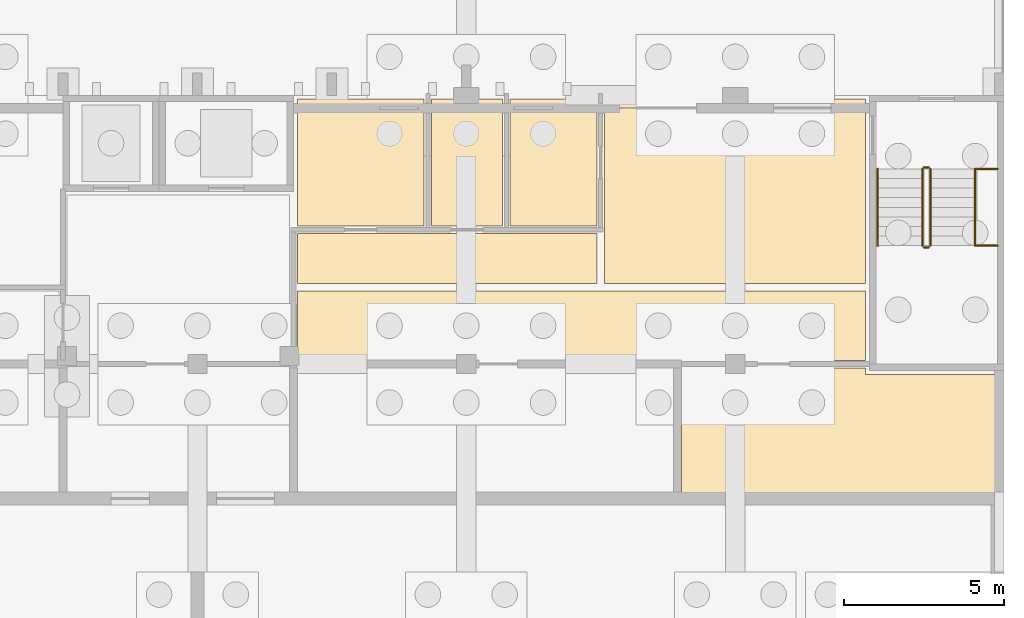
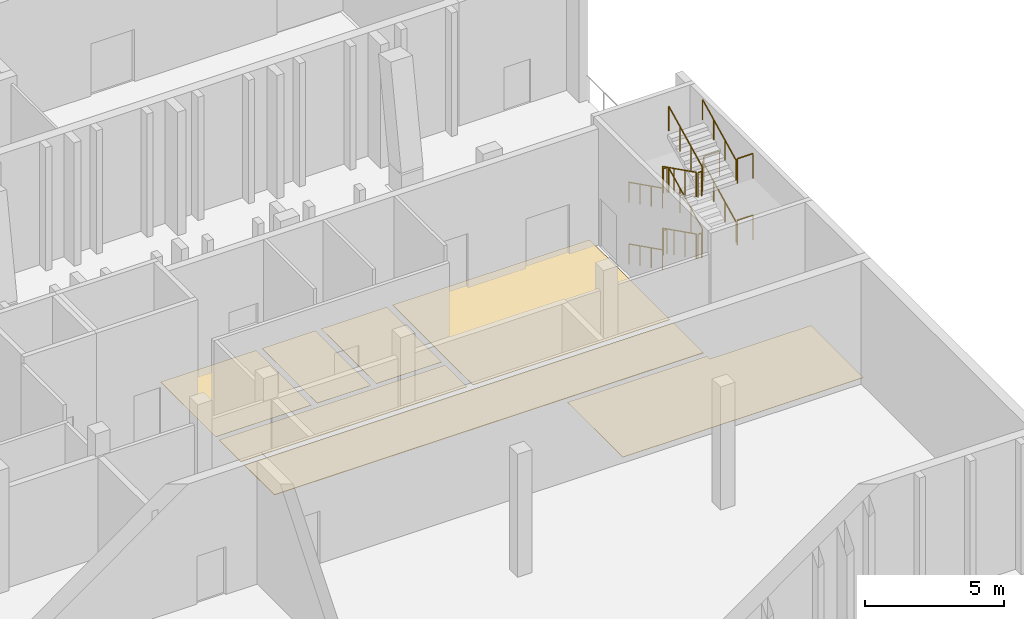
# One storey, part 124 of 129: 15 railings, 7 coverings.
"""IFC4 building model written with IfcOpenShell, lengths in metres."""

from ifc_helpers import new_model, si_unit, direction, frame, origin, origin_2d, place, context, subcontext, project, spatial, polyline, circle, outline, extrude, material, layer, layer_set, type_object, element, save


model = new_model("IFC4")

# Units and contexts
model_context = context("Model", 3, precision=1e-05, world=origin(), true_north=direction((0.0, 1.0)))
body_context = subcontext(model_context, "Body", "Model", "MODEL_VIEW")
ifc_project = project(units=[si_unit("LENGTHUNIT", "METRE"), si_unit("AREAUNIT", "SQUARE_METRE"), si_unit("VOLUMEUNIT", "CUBIC_METRE"), si_unit("PLANEANGLEUNIT", "RADIAN"), si_unit("MASSUNIT", "GRAM", prefix="KILO")], contexts=[model_context])

# Site, building, storey
site_placement = place(None, origin())
site = spatial("IfcSite", under=ifc_project, at=site_placement, CompositionType="ELEMENT")
building_placement = place(site_placement, origin())
building = spatial("IfcBuilding", under=site, at=building_placement, Name="Kiln Court Media Centre", CompositionType="ELEMENT")
storey_placement = place(building_placement, origin())
storey = spatial("IfcBuildingStorey", under=building, at=storey_placement, Name="L00", CompositionType="ELEMENT", Elevation=0.0)

# Coverings
ifc_material_1 = material(Name="Carpet tile")
ifc_layer_1 = layer(ifc_material_1, 0.014892578125)
ifc_layer_set_1 = layer_set([ifc_layer_1], Name="Carpet tile floor finish 15")
covering_type_1 = type_object("IfcCoveringType", Name="Carpet tile floor finish 15", PredefinedType="FLOORING", material=ifc_layer_set_1)
covering_1_placement = place(storey_placement, origin())
element("IfcCovering", 1, at=covering_1_placement, inside=storey, type_object=covering_type_1, Name="Sound Lobby floor finish", PredefinedType="FLOORING", context=body_context, shape_type="SweptSolid", body=[
    extrude(outline(polyline([(167.8798828125, 12.719970703125), (167.8798828125, 16.47998046875), (163.679931640625, 16.47998046875), (163.679931640625, 16.679931640625), (157.919921875, 16.679931640625), (157.919921875, 12.719970703125), (167.8798828125, 12.719970703125)])), origin(), (0.0, 0.0, 1.0), 0.014892578125),
])
ifc_material_2 = material(Name="Ceramic tile")
ifc_layer_2 = layer(ifc_material_2, 0.011962890625)
ifc_layer_set_2 = layer_set([ifc_layer_2], Name="Ceramic tile floor finish 12")
covering_type_2 = type_object("IfcCoveringType", Name="Ceramic tile floor finish 12", PredefinedType="FLOORING", material=ifc_layer_set_2)
covering_2_placement = place(storey_placement, origin())
element("IfcCovering", 2, at=covering_2_placement, inside=storey, type_object=covering_type_2, Name="Women's WC floor finish", PredefinedType="FLOORING", context=body_context, shape_type="SweptSolid", body=[
    extrude(outline(polyline([(149.8798828125, 21.1201171875), (149.8798828125, 25.080078125), (145.919921875, 25.080078125), (145.919921875, 21.1201171875), (149.8798828125, 21.1201171875)])), origin(), (0.0, 0.0, 1.0), 0.011962890625),
])
covering_3_placement = place(storey_placement, origin())
element("IfcCovering", 3, at=covering_3_placement, inside=storey, type_object=covering_type_2, Name="Men's WC floor finish", PredefinedType="FLOORING", context=body_context, shape_type="SweptSolid", body=[
    extrude(outline(polyline([(152.330078125, 21.1201171875), (152.330078125, 25.080078125), (150.1201171875, 25.080078125), (150.1201171875, 21.1201171875), (152.330078125, 21.1201171875)])), origin(), (0.0, 0.0, 1.0), 0.011962890625),
])
covering_4_placement = place(storey_placement, origin())
element("IfcCovering", 4, at=covering_4_placement, inside=storey, type_object=covering_type_2, Name="Accessible WC floor finish", PredefinedType="FLOORING", context=body_context, shape_type="SweptSolid", body=[
    extrude(outline(polyline([(155.280029296875, 21.1201171875), (155.280029296875, 25.080078125), (152.570068359375, 25.080078125), (152.570068359375, 21.1201171875), (155.280029296875, 21.1201171875)])), origin(), (0.0, 0.0, 1.0), 0.011962890625),
])
ifc_material_3 = material(Name="Engineered timber", Category="wood")
ifc_layer_3 = layer(ifc_material_3, 0.02001953125)
ifc_layer_set_3 = layer_set([ifc_layer_3], Name="Engineered timber floor finish 20")
covering_type_3 = type_object("IfcCoveringType", Name="Engineered timber floor finish 20", PredefinedType="FLOORING", material=ifc_layer_set_3)
covering_5_placement = place(storey_placement, origin())
element("IfcCovering", 5, at=covering_5_placement, inside=storey, type_object=covering_type_3, Name="Artists' Lounge floor finish", PredefinedType="FLOORING", context=body_context, shape_type="SweptSolid", body=[
    extrude(outline(polyline([(155.52001953125, 19.320068359375), (163.679931640625, 19.320068359375), (163.679931640625, 25.080078125), (155.52001953125, 25.080078125), (155.52001953125, 19.320068359375)])), origin(), (0.0, 0.0, 1.0), 0.02001953125),
])
ifc_material_4 = material(Name="Terrazzo")
ifc_layer_4 = layer(ifc_material_4, 0.02490234375)
ifc_layer_set_4 = layer_set([ifc_layer_4], Name="Polished terrazzo floor finish 25")
covering_type_4 = type_object("IfcCoveringType", Name="Polished terrazzo floor finish 25", PredefinedType="FLOORING", material=ifc_layer_set_4)
covering_6_placement = place(storey_placement, origin())
element("IfcCovering", 6, at=covering_6_placement, inside=storey, type_object=covering_type_4, Name="Studio Corridor floor finish", PredefinedType="FLOORING", context=body_context, shape_type="SweptSolid", body=[
    extrude(outline(polyline([(145.919921875, 16.919921875), (163.679931640625, 16.919921875), (163.679931640625, 19.080078125), (145.919921875, 19.080078125), (145.919921875, 16.919921875)])), origin(), (0.0, 0.0, 1.0), 0.02490234375),
])
covering_7_placement = place(storey_placement, origin())
element("IfcCovering", 7, at=covering_7_placement, inside=storey, type_object=covering_type_4, Name="Toilet Lobby floor finish", PredefinedType="FLOORING", context=body_context, shape_type="SweptSolid", body=[
    extrude(outline(polyline([(155.280029296875, 19.320068359375), (155.280029296875, 20.8798828125), (145.919921875, 20.8798828125), (145.919921875, 19.320068359375), (155.280029296875, 19.320068359375)])), origin(), (0.0, 0.0, 1.0), 0.02490234375),
])

# Railings
ifc_material_5 = material(Name="Steel S275", Category="steel")
railing_type_1 = type_object("IfcRailingType", Name="Steel S275 stair guard 1100", PredefinedType="GUARDRAIL", material=ifc_material_5)
railing_1_placement = place(storey_placement, frame((165.449951171875, 22.89990234375, 0.14990234375)))
element("IfcRailing", 8, at=railing_1_placement, inside=storey, type_object=railing_type_1, Name="ST-17 stair guard", PredefinedType="GUARDRAIL", context=body_context, shape_type="SweptSolid", body=[
    extrude(circle(Radius=0.02392578125, at=origin_2d()), frame((0.0, 0.0, 1.076171875), z_axis=(0.0, -0.894390793703, 0.44728638269), x_axis=(1.0, 0.0, 0.0)), (0.0, 0.0, 1.0), 2.683349609375),
    extrude(circle(Radius=0.02099609375, at=origin_2d()), origin(), (0.0, 0.0, 1.0), 1.052001953125),
    extrude(circle(Radius=0.02099609375, at=origin_2d()), frame((0.0, -0.800048828125, 0.400146484375)), (0.0, 0.0, 1.0), 1.052001953125),
    extrude(circle(Radius=0.02099609375, at=origin_2d()), frame((0.0, -1.599853515625, 0.800048828125)), (0.0, 0.0, 1.0), 1.052001953125),
    extrude(circle(Radius=0.02099609375, at=origin_2d()), frame((0.0, -2.39990234375, 1.2001953125)), (0.0, 0.0, 1.0), 1.052001953125),
])
railing_2_placement = place(storey_placement, frame((165.5, 20.449951171875, 1.35009765625)))
element("IfcRailing", 9, at=railing_2_placement, inside=storey, type_object=railing_type_1, Name="ST-17 stair guard", PredefinedType="GUARDRAIL", context=body_context, shape_type="SweptSolid", body=[
    extrude(circle(Radius=0.02392578125, at=origin_2d()), frame((0.0, 0.0, 1.076171875), z_axis=(1.0, 0.0, 0.0), x_axis=(0.0, 1.0, 0.0)), (0.0, 0.0, 1.0), 0.14990234375),
    extrude(circle(Radius=0.02099609375, at=origin_2d()), origin(), (0.0, 0.0, 1.0), 1.052001953125),
    extrude(circle(Radius=0.02099609375, at=origin_2d()), frame((0.14990234375, 0.0, 0.0)), (0.0, 0.0, 1.0), 1.052001953125),
])
railing_3_placement = place(storey_placement, frame((165.699951171875, 20.5, 1.5)))
element("IfcRailing", 10, at=railing_3_placement, inside=storey, type_object=railing_type_1, Name="ST-17 stair guard", PredefinedType="GUARDRAIL", context=body_context, shape_type="SweptSolid", body=[
    extrude(circle(Radius=0.02392578125, at=origin_2d()), frame((0.0, 0.0, 1.076171875), z_axis=(0.0, 0.894427191, 0.4472135955), x_axis=(-1.0, 0.0, 0.0)), (0.0, 0.0, 1.0), 2.68310546875),
    extrude(circle(Radius=0.02099609375, at=origin_2d()), origin(), (0.0, 0.0, 1.0), 1.052001953125),
    extrude(circle(Radius=0.02099609375, at=origin_2d()), frame((0.0, 0.800048828125, 0.39990234375)), (0.0, 0.0, 1.0), 1.052001953125),
    extrude(circle(Radius=0.02099609375, at=origin_2d()), frame((0.0, 1.599853515625, 0.800048828125)), (0.0, 0.0, 1.0), 1.052001953125),
    extrude(circle(Radius=0.02099609375, at=origin_2d()), frame((0.0, 2.39990234375, 1.199951171875)), (0.0, 0.0, 1.0), 1.052001953125),
])
railing_4_placement = place(storey_placement, frame((165.5, 22.949951171875, 2.699951171875)))
element("IfcRailing", 11, at=railing_4_placement, inside=storey, type_object=railing_type_1, Name="ST-17 stair guard", PredefinedType="GUARDRAIL", context=body_context, shape_type="SweptSolid", body=[
    extrude(circle(Radius=0.02392578125, at=origin_2d()), frame((0.0, 0.0, 1.076171875), z_axis=(1.0, 0.0, 0.0), x_axis=(0.0, 1.0, 0.0)), (0.0, 0.0, 1.0), 0.14990234375),
    extrude(circle(Radius=0.02099609375, at=origin_2d()), origin(), (0.0, 0.0, 1.0), 1.052001953125),
    extrude(circle(Radius=0.02099609375, at=origin_2d()), frame((0.14990234375, 0.0, 0.0)), (0.0, 0.0, 1.0), 1.052001953125),
])
railing_5_placement = place(storey_placement, frame((165.449951171875, 22.89990234375, 2.85009765625)))
element("IfcRailing", 12, at=railing_5_placement, inside=storey, type_object=railing_type_1, Name="ST-17 stair guard", PredefinedType="GUARDRAIL", context=body_context, shape_type="SweptSolid", body=[
    extrude(circle(Radius=0.02392578125, at=origin_2d()), frame((0.0, 0.0, 1.076171875), z_axis=(0.0, -0.894427191, 0.4472135955), x_axis=(1.0, 0.0, 0.0)), (0.0, 0.0, 1.0), 2.68310546875),
    extrude(circle(Radius=0.02099609375, at=origin_2d()), origin(), (0.0, 0.0, 1.0), 1.052001953125),
    extrude(circle(Radius=0.02099609375, at=origin_2d()), frame((0.0, -0.800048828125, 0.39990234375)), (0.0, 0.0, 1.0), 1.052001953125),
    extrude(circle(Radius=0.02099609375, at=origin_2d()), frame((0.0, -1.599853515625, 0.800048828125)), (0.0, 0.0, 1.0), 1.052001953125),
    extrude(circle(Radius=0.02099609375, at=origin_2d()), frame((0.0, -2.39990234375, 1.199951171875)), (0.0, 0.0, 1.0), 1.052001953125),
])
railing_6_placement = place(storey_placement, frame((165.5, 20.449951171875, 4.050048828125)))
element("IfcRailing", 13, at=railing_6_placement, inside=storey, type_object=railing_type_1, Name="ST-17 stair guard", PredefinedType="GUARDRAIL", context=body_context, shape_type="SweptSolid", body=[
    extrude(circle(Radius=0.02392578125, at=origin_2d()), frame((0.0, 0.0, 1.076171875), z_axis=(1.0, 0.0, 0.0), x_axis=(0.0, 1.0, 0.0)), (0.0, 0.0, 1.0), 0.14990234375),
    extrude(circle(Radius=0.02099609375, at=origin_2d()), origin(), (0.0, 0.0, 1.0), 1.052001953125),
    extrude(circle(Radius=0.02099609375, at=origin_2d()), frame((0.14990234375, 0.0, 0.0)), (0.0, 0.0, 1.0), 1.052001953125),
])
railing_7_placement = place(storey_placement, frame((165.699951171875, 20.5, 4.199951171875)))
element("IfcRailing", 14, at=railing_7_placement, inside=storey, type_object=railing_type_1, Name="ST-17 stair guard", PredefinedType="GUARDRAIL", context=body_context, shape_type="SweptSolid", body=[
    extrude(circle(Radius=0.02392578125, at=origin_2d()), frame((0.0, 0.0, 1.076171875), z_axis=(0.0, 0.894427191, 0.4472135955), x_axis=(-1.0, 0.0, 0.0)), (0.0, 0.0, 1.0), 2.68310546875),
    extrude(circle(Radius=0.02099609375, at=origin_2d()), origin(), (0.0, 0.0, 1.0), 1.052001953125),
    extrude(circle(Radius=0.02099609375, at=origin_2d()), frame((0.0, 0.800048828125, 0.39990234375)), (0.0, 0.0, 1.0), 1.052001953125),
    extrude(circle(Radius=0.02099609375, at=origin_2d()), frame((0.0, 1.599853515625, 0.800048828125)), (0.0, 0.0, 1.0), 1.052001953125),
    extrude(circle(Radius=0.02099609375, at=origin_2d()), frame((0.0, 2.39990234375, 1.199951171875)), (0.0, 0.0, 1.0), 1.052001953125),
])
railing_8_placement = place(storey_placement, frame((165.5, 22.949951171875, 0.0)))
element("IfcRailing", 15, at=railing_8_placement, inside=storey, type_object=railing_type_1, Name="ST-17 stair guard", PredefinedType="GUARDRAIL", context=body_context, shape_type="SweptSolid", body=[
    extrude(circle(Radius=0.02392578125, at=origin_2d()), frame((0.0, 0.0, 1.076171875), z_axis=(1.0, 0.0, 0.0), x_axis=(0.0, 1.0, 0.0)), (0.0, 0.0, 1.0), 0.14990234375),
    extrude(circle(Radius=0.02099609375, at=origin_2d()), origin(), (0.0, 0.0, 1.0), 1.052001953125),
    extrude(circle(Radius=0.02099609375, at=origin_2d()), frame((0.14990234375, 0.0, 0.0)), (0.0, 0.0, 1.0), 1.052001953125),
])
for number, where, name in (
    (16, (167.14990234375, 20.5, 1.35009765625), "ST-17 landing edge guard"),
    (17, (167.14990234375, 22.89990234375, 2.699951171875), "ST-17 landing edge guard"),
    (18, (167.14990234375, 20.5, 4.050048828125), "ST-17 landing edge guard"),
):
    element("IfcRailing", number, at=place(storey_placement, frame(where)), inside=storey, type_object=railing_type_1, Name=name, PredefinedType="GUARDRAIL", context=body_context, shape_type="SweptSolid", body=[
        extrude(circle(Radius=0.02392578125, at=origin_2d()), frame((0.0, 0.0, 1.076171875), z_axis=(1.0, 0.0, 0.0), x_axis=(0.0, 1.0, 0.0)), (0.0, 0.0, 1.0), 0.650146484375),
        extrude(circle(Radius=0.02099609375, at=origin_2d()), origin(), (0.0, 0.0, 1.0), 1.052001953125),
        extrude(circle(Radius=0.02099609375, at=origin_2d()), frame((0.650146484375, 0.0, 0.0)), (0.0, 0.0, 1.0), 1.052001953125),
    ])
ifc_material_6 = material(Name="Steel S275", Category="steel")
railing_type_2 = type_object("IfcRailingType", Name="Steel S275 stair handrail 900", PredefinedType="HANDRAIL", material=ifc_material_6)
railing_9_placement = place(storey_placement, frame((164.050048828125, 22.89990234375, 0.14990234375)))
element("IfcRailing", 19, at=railing_9_placement, inside=storey, type_object=railing_type_2, Name="ST-17 stair handrail", PredefinedType="HANDRAIL", context=body_context, shape_type="SweptSolid", body=[
    extrude(circle(Radius=0.02392578125, at=origin_2d()), frame((0.0, 0.0, 0.8759765625), z_axis=(0.0, -0.894390793703, 0.44728638269), x_axis=(1.0, 0.0, 0.0)), (0.0, 0.0, 1.0), 2.683349609375),
    extrude(circle(Radius=0.02099609375, at=origin_2d()), origin(), (0.0, 0.0, 1.0), 0.851806640625),
    extrude(circle(Radius=0.02099609375, at=origin_2d()), frame((0.0, -0.800048828125, 0.400146484375)), (0.0, 0.0, 1.0), 0.851806640625),
    extrude(circle(Radius=0.02099609375, at=origin_2d()), frame((0.0, -1.599853515625, 0.800048828125)), (0.0, 0.0, 1.0), 0.851806640625),
    extrude(circle(Radius=0.02099609375, at=origin_2d()), frame((0.0, -2.39990234375, 1.2001953125)), (0.0, 0.0, 1.0), 0.851806640625),
])
railing_10_placement = place(storey_placement, frame((167.10009765625, 20.5, 1.5)))
element("IfcRailing", 20, at=railing_10_placement, inside=storey, type_object=railing_type_2, Name="ST-17 stair handrail", PredefinedType="HANDRAIL", context=body_context, shape_type="SweptSolid", body=[
    extrude(circle(Radius=0.02392578125, at=origin_2d()), frame((0.0, 0.0, 0.8759765625), z_axis=(0.0, 0.894427191, 0.4472135955), x_axis=(-1.0, 0.0, 0.0)), (0.0, 0.0, 1.0), 2.68310546875),
    extrude(circle(Radius=0.02099609375, at=origin_2d()), origin(), (0.0, 0.0, 1.0), 0.851806640625),
    extrude(circle(Radius=0.02099609375, at=origin_2d()), frame((0.0, 0.800048828125, 0.39990234375)), (0.0, 0.0, 1.0), 0.851806640625),
    extrude(circle(Radius=0.02099609375, at=origin_2d()), frame((0.0, 1.599853515625, 0.800048828125)), (0.0, 0.0, 1.0), 0.851806640625),
    extrude(circle(Radius=0.02099609375, at=origin_2d()), frame((0.0, 2.39990234375, 1.199951171875)), (0.0, 0.0, 1.0), 0.851806640625),
])
railing_11_placement = place(storey_placement, frame((164.050048828125, 22.89990234375, 2.85009765625)))
element("IfcRailing", 21, at=railing_11_placement, inside=storey, type_object=railing_type_2, Name="ST-17 stair handrail", PredefinedType="HANDRAIL", context=body_context, shape_type="SweptSolid", body=[
    extrude(circle(Radius=0.02392578125, at=origin_2d()), frame((0.0, 0.0, 0.8759765625), z_axis=(0.0, -0.894427191, 0.4472135955), x_axis=(1.0, 0.0, 0.0)), (0.0, 0.0, 1.0), 2.68310546875),
    extrude(circle(Radius=0.02099609375, at=origin_2d()), origin(), (0.0, 0.0, 1.0), 0.851806640625),
    extrude(circle(Radius=0.02099609375, at=origin_2d()), frame((0.0, -0.800048828125, 0.39990234375)), (0.0, 0.0, 1.0), 0.851806640625),
    extrude(circle(Radius=0.02099609375, at=origin_2d()), frame((0.0, -1.599853515625, 0.800048828125)), (0.0, 0.0, 1.0), 0.851806640625),
    extrude(circle(Radius=0.02099609375, at=origin_2d()), frame((0.0, -2.39990234375, 1.199951171875)), (0.0, 0.0, 1.0), 0.851806640625),
])
railing_12_placement = place(storey_placement, frame((167.10009765625, 20.5, 4.199951171875)))
element("IfcRailing", 22, at=railing_12_placement, inside=storey, type_object=railing_type_2, Name="ST-17 stair handrail", PredefinedType="HANDRAIL", context=body_context, shape_type="SweptSolid", body=[
    extrude(circle(Radius=0.02392578125, at=origin_2d()), frame((0.0, 0.0, 0.8759765625), z_axis=(0.0, 0.894427191, 0.4472135955), x_axis=(-1.0, 0.0, 0.0)), (0.0, 0.0, 1.0), 2.68310546875),
    extrude(circle(Radius=0.02099609375, at=origin_2d()), origin(), (0.0, 0.0, 1.0), 0.851806640625),
    extrude(circle(Radius=0.02099609375, at=origin_2d()), frame((0.0, 0.800048828125, 0.39990234375)), (0.0, 0.0, 1.0), 0.851806640625),
    extrude(circle(Radius=0.02099609375, at=origin_2d()), frame((0.0, 1.599853515625, 0.800048828125)), (0.0, 0.0, 1.0), 0.851806640625),
    extrude(circle(Radius=0.02099609375, at=origin_2d()), frame((0.0, 2.39990234375, 1.199951171875)), (0.0, 0.0, 1.0), 0.851806640625),
])

save(model, "model.ifc")
